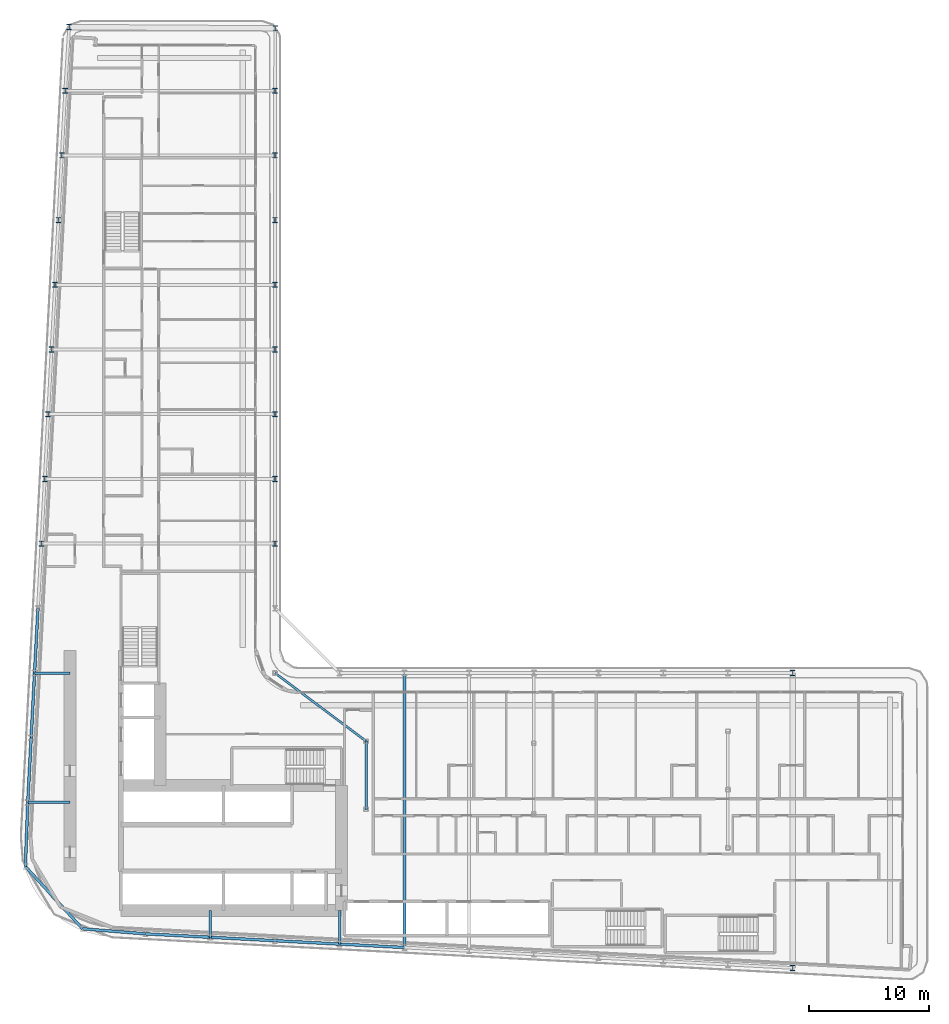
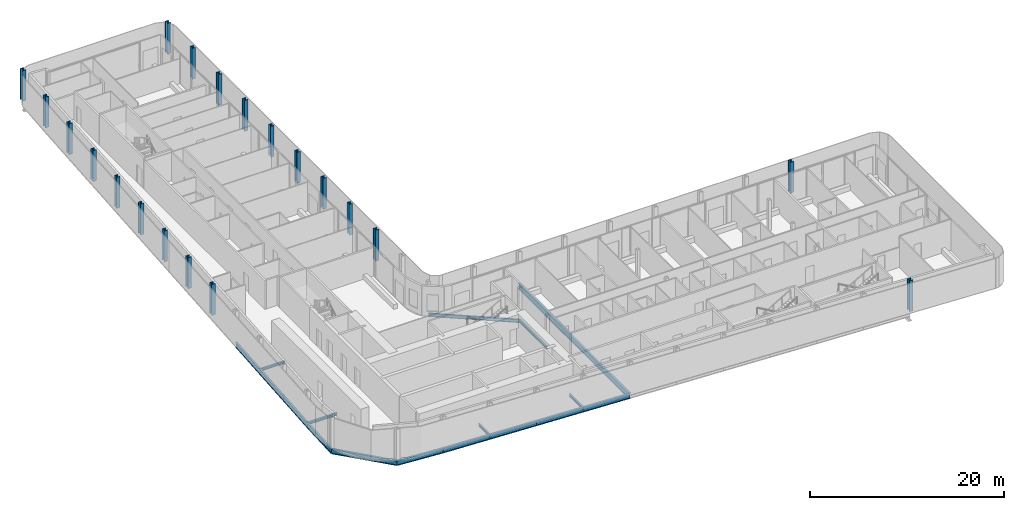
# One storey, part 3 of 29: 20 columns, 17 beams.
"""IFC4 building model written with IfcOpenShell, lengths in metres."""

from ifc_helpers import new_model, si_unit, direction, frame, origin, origin_2d, place, context, subcontext, project, spatial, i_section, extrude, material, material_profile, profile_set, type_object, element, save


model = new_model("IFC4")

# Units and contexts
model_context = context("Model", 3, precision=1e-05, world=origin(), true_north=direction((0.0, 1.0)))
body_context = subcontext(model_context, "Body", "Model", "MODEL_VIEW")
ifc_project = project(units=[si_unit("LENGTHUNIT", "METRE"), si_unit("AREAUNIT", "SQUARE_METRE"), si_unit("VOLUMEUNIT", "CUBIC_METRE"), si_unit("PLANEANGLEUNIT", "RADIAN"), si_unit("MASSUNIT", "GRAM", prefix="KILO")], contexts=[model_context])

# Site, building, storey
site_placement = place(None, origin())
site = spatial("IfcSite", under=ifc_project, at=site_placement, CompositionType="ELEMENT")
building_placement = place(site_placement, origin())
building = spatial("IfcBuilding", under=site, at=building_placement, Name="Kheshtan School and Residences Tower", CompositionType="ELEMENT")
storey_placement = place(building_placement, frame((0.0, 0.0, 65.60009765625)))
storey = spatial("IfcBuildingStorey", under=building, at=storey_placement, Name="L15", CompositionType="ELEMENT", Elevation=65.60009765625)

# Columns
ifc_material = material(Name="Steel ASTM A992 Grade 50", Category="steel")
ifc_material_profile_1 = material_profile(ifc_material, i_section(OverallWidth=0.424072265625, OverallDepth=0.47412109375, WebThickness=0.047607421875, FlangeThickness=0.0771484375, FilletRadius=0.01416015625, at=origin_2d()), Name="W360x634")
ifc_profile_set_1 = profile_set([ifc_material_profile_1], Name="Steel ASTM A992 Grade 50")
column_type = type_object("IfcColumnType", Name="Column C1 W360x634 ASTM A992 Grade 50", PredefinedType="COLUMN", material=ifc_profile_set_1)
for number, where, z_axis, x_axis, name in (
    (1, (90.800048828125, 20.989990234375, 0.0), (0.0, 0.0, 1.0), (1.0, 0.0, 0.0), "Column C006"),
    (2, (90.800048828125, 45.60009765625, 0.0), (0.0, 0.0, 1.0), (1.0, 0.0, 0.0), "Column C068"),
    (3, (28.10595703125, 56.39990234375, 0.0), (0.0, 0.0, 1.0), (1.0, 0.0, 0.0), "Column C080"),
    (4, (47.60009765625, 56.39990234375, 0.0), (0.0, 0.0, 1.0), (1.0, 0.0, 0.0), "Column C081"),
    (5, (28.389892578125, 61.800048828125, 0.0), (0.0, 0.0, 1.0), (1.0, 0.0, 0.0), "Column C082"),
    (6, (47.60009765625, 61.800048828125, 0.0), (0.0, 0.0, 1.0), (1.0, 0.0, 0.0), "Column C083"),
    (7, (28.674072265625, 67.199951171875, 0.0), (0.0, 0.0, 1.0), (1.0, 0.0, 0.0), "Column C084"),
    (8, (47.60009765625, 67.199951171875, 0.0), (0.0, 0.0, 1.0), (1.0, 0.0, 0.0), "Column C085"),
    (9, (28.9580078125, 72.60009765625, 0.0), (0.0, 0.0, 1.0), (1.0, 0.0, 0.0), "Column C086"),
    (10, (47.60009765625, 72.60009765625, 0.0), (0.0, 0.0, 1.0), (1.0, 0.0, 0.0), "Column C087"),
    (11, (29.242919921875, 78.0, 0.0), (0.0, 0.0, 1.0), (1.0, 0.0, 0.0), "Column C088"),
    (12, (47.60009765625, 78.0, 0.0), (0.0, 0.0, 1.0), (1.0, 0.0, 0.0), "Column C089"),
    (13, (29.527099609375, 83.39990234375, 0.0), (0.0, 0.0, 1.0), (1.0, 0.0, 0.0), "Column C090"),
    (14, (47.60009765625, 83.39990234375, 0.0), (0.0, 0.0, 1.0), (1.0, 0.0, 0.0), "Column C091"),
    (15, (29.81103515625, 88.800048828125, 0.0), (0.0, 0.0, 1.0), (1.0, 0.0, 0.0), "Column C098"),
    (16, (47.60009765625, 88.800048828125, 0.0), (0.0, 0.0, 1.0), (1.0, 0.0, 0.0), "Column C099"),
    (17, (30.094970703125, 94.199951171875, 0.0), (0.0, 0.0, 1.0), (1.0, 0.0, 0.0), "Column C106"),
    (18, (47.60009765625, 94.199951171875, 0.0), (0.0, 0.0, 1.0), (1.0, 0.0, 0.0), "Column C107"),
    (19, (47.6298828125, 99.402099609375, 0.0), (0.0, 0.0, 1.0), (1.0, 0.0, 0.0), "Column C113"),
    (20, (30.424072265625, 99.510009765625, 0.0), (0.0, 0.0, 1.0), (1.0, 0.0, 0.0), "Column C121"),
):
    element("IfcColumn", number, at=place(storey_placement, frame(where, z_axis=z_axis, x_axis=x_axis)), inside=storey, type_object=column_type, Name=name, PredefinedType="COLUMN", context=body_context, shape_type="SweptSolid", body=[
        extrude(i_section(OverallWidth=0.424072265625, OverallDepth=0.47412109375, WebThickness=0.047607421875, FlangeThickness=0.0771484375, FilletRadius=0.01416015625, at=origin_2d()), origin(), (0.0, 0.0, 1.0), 3.89990234375),
    ])

# Beams
ifc_material_profile_2 = material_profile(ifc_material, i_section(OverallWidth=0.202880859375, OverallDepth=0.302978515625, WebThickness=0.007568359375, FlangeThickness=0.01318359375, FilletRadius=0.009033203125, at=origin_2d()), Name="W310x60")
ifc_profile_set_2 = profile_set([ifc_material_profile_2], Name="Steel ASTM A992 Grade 50")
beam_type_1 = type_object("IfcBeamType", Name="Beam FB1 W310x60 ASTM A992 Grade 50", PredefinedType="BEAM", material=ifc_profile_set_2)
beam_1_placement = place(storey_placement, frame((53.0, 22.97998046875, -0.301513671875), z_axis=(0.0, 1.0, 0.0), x_axis=(-1.0, 0.0, 0.0)))
element("IfcBeam", 21, at=beam_1_placement, inside=storey, type_object=beam_type_1, Name="Floor beam C019", PredefinedType="BEAM", context=body_context, shape_type="SweptSolid", body=[
    extrude(i_section(OverallWidth=0.202880859375, OverallDepth=0.302978515625, WebThickness=0.007568359375, FlangeThickness=0.01318359375, FilletRadius=0.009033203125, at=origin_2d()), origin(), (0.0, 0.0, 1.0), 2.820068359375),
])
beam_2_placement = place(storey_placement, frame((42.199951171875, 23.548095703125, -0.301513671875), z_axis=(0.0, 1.0, 0.0), x_axis=(-1.0, 0.0, 0.0)))
element("IfcBeam", 22, at=beam_2_placement, inside=storey, type_object=beam_type_1, Name="Floor beam C021", PredefinedType="BEAM", context=body_context, shape_type="SweptSolid", body=[
    extrude(i_section(OverallWidth=0.202880859375, OverallDepth=0.302978515625, WebThickness=0.007568359375, FlangeThickness=0.01318359375, FilletRadius=0.009033203125, at=origin_2d()), origin(), (0.0, 0.0, 1.0), 2.251953125),
])
beam_3_placement = place(storey_placement, frame((26.968994140625, 34.800048828125, -0.301513671875), z_axis=(1.0, 0.0, 0.0), x_axis=(0.0, 1.0, 0.0)))
element("IfcBeam", 23, at=beam_3_placement, inside=storey, type_object=beam_type_1, Name="Floor beam C052", PredefinedType="BEAM", context=body_context, shape_type="SweptSolid", body=[
    extrude(i_section(OverallWidth=0.202880859375, OverallDepth=0.302978515625, WebThickness=0.007568359375, FlangeThickness=0.01318359375, FilletRadius=0.009033203125, at=origin_2d()), origin(), (0.0, 0.0, 1.0), 3.531005859375),
])
beam_4_placement = place(storey_placement, frame((27.537109375, 45.60009765625, -0.301513671875), z_axis=(1.0, 0.0, 0.0), x_axis=(0.0, 1.0, 0.0)))
element("IfcBeam", 24, at=beam_4_placement, inside=storey, type_object=beam_type_1, Name="Floor beam C059", PredefinedType="BEAM", context=body_context, shape_type="SweptSolid", body=[
    extrude(i_section(OverallWidth=0.202880859375, OverallDepth=0.302978515625, WebThickness=0.007568359375, FlangeThickness=0.01318359375, FilletRadius=0.009033203125, at=origin_2d()), origin(), (0.0, 0.0, 1.0), 2.962890625),
])
beam_5_placement = place(storey_placement, frame((55.199951171875, 34.23193359375, -0.301513671875), z_axis=(0.0, 1.0, 0.0), x_axis=(-1.0, 0.0, 0.0)))
element("IfcBeam", 25, at=beam_5_placement, inside=storey, type_object=beam_type_1, Name="Floor beam IC", PredefinedType="BEAM", context=body_context, shape_type="SweptSolid", body=[
    extrude(i_section(OverallWidth=0.202880859375, OverallDepth=0.302978515625, WebThickness=0.007568359375, FlangeThickness=0.01318359375, FilletRadius=0.009033203125, at=origin_2d()), origin(), (0.0, 0.0, 1.0), 5.68408203125),
])
ifc_material_profile_3 = material_profile(ifc_material, i_section(OverallWidth=0.180908203125, OverallDepth=0.4169921875, WebThickness=0.010986328125, FlangeThickness=0.018310546875, FilletRadius=0.012451171875, at=origin_2d()), Name="W410x85")
ifc_profile_set_3 = profile_set([ifc_material_profile_3], Name="Steel ASTM A992 Grade 50")
beam_type_2 = type_object("IfcBeamType", Name="Beam FB3 W410x85 ASTM A992 Grade 50", PredefinedType="BEAM", material=ifc_profile_set_3)
beam_6_placement = place(storey_placement, frame((47.60009765625, 45.60009765625, -0.358642578125), z_axis=(0.800798828004, -0.598933416222, 0.0), x_axis=(0.598933416222, 0.800798828004, 0.0)))
element("IfcBeam", 26, at=beam_6_placement, inside=storey, type_object=beam_type_2, Name="Floor beam IC", PredefinedType="BEAM", context=body_context, shape_type="SweptSolid", body=[
    extrude(i_section(OverallWidth=0.180908203125, OverallDepth=0.4169921875, WebThickness=0.010986328125, FlangeThickness=0.018310546875, FilletRadius=0.012451171875, at=origin_2d()), origin(), (0.0, 0.0, 1.0), 9.490234375),
])
ifc_material_profile_4 = material_profile(ifc_material, i_section(OverallWidth=0.2529296875, OverallDepth=0.677978515625, WebThickness=0.01171875, FlangeThickness=0.016357421875, FilletRadius=0.0146484375, at=origin_2d()), Name="W690x125")
ifc_profile_set_4 = profile_set([ifc_material_profile_4], Name="Steel ASTM A992 Grade 50")
beam_type_3 = type_object("IfcBeamType", Name="Beam FB6 W690x125 ASTM A992 Grade 50", PredefinedType="BEAM", material=ifc_profile_set_4)
beam_7_placement = place(storey_placement, frame((58.39990234375, 45.60009765625, -0.489013671875), z_axis=(0.0, -1.0, 0.0), x_axis=(1.0, 0.0, 0.0)))
element("IfcBeam", 27, at=beam_7_placement, inside=storey, type_object=beam_type_3, Name="Floor beam C062", PredefinedType="BEAM", context=body_context, shape_type="SweptSolid", body=[
    extrude(i_section(OverallWidth=0.2529296875, OverallDepth=0.677978515625, WebThickness=0.01171875, FlangeThickness=0.016357421875, FilletRadius=0.0146484375, at=origin_2d()), origin(), (0.0, 0.0, 1.0), 22.905029296875),
])
ifc_material_profile_5 = material_profile(ifc_material, i_section(OverallWidth=0.22998046875, OverallDepth=0.616943359375, WebThickness=0.01318359375, FlangeThickness=0.022216796875, FilletRadius=0.0185546875, at=origin_2d()), Name="W610x140")
ifc_profile_set_5 = profile_set([ifc_material_profile_5], Name="Steel ASTM A992 Grade 50")
beam_type_4 = type_object("IfcBeamType", Name="Beam SP1 W610x140 ASTM A992 Grade 50", PredefinedType="BEAM", material=ifc_profile_set_5)
for number, where, z_axis, x_axis, name in (
    (28, (58.39990234375, 22.695068359375, -0.45849609375), (-0.998610961136, 0.052689166816, 0.0), (-0.052689166816, -0.998610961136, 0.0), "Spandrel beam C018-C019"),
    (29, (53.0, 22.97998046875, -0.45849609375), (-0.998620447272, 0.05250906864, 0.0), (-0.05250906864, -0.998620447272, 0.0), "Spandrel beam C019-C020"),
):
    element("IfcBeam", number, at=place(storey_placement, frame(where, z_axis=z_axis, x_axis=x_axis)), inside=storey, type_object=beam_type_4, Name=name, PredefinedType="BEAM", context=body_context, shape_type="SweptSolid", body=[
        extrude(i_section(OverallWidth=0.22998046875, OverallDepth=0.616943359375, WebThickness=0.01318359375, FlangeThickness=0.022216796875, FilletRadius=0.0185546875, at=origin_2d()), origin(), (0.0, 0.0, 1.0), 5.407470703125),
    ])
beam_8_placement = place(storey_placement, frame((47.60009765625, 23.263916015625, -0.45849609375), z_axis=(-0.998618203458, 0.052551724256, 0.0), x_axis=(-0.052551724256, -0.998618203458, 0.0)))
element("IfcBeam", 30, at=beam_8_placement, inside=storey, type_object=beam_type_4, Name="Spandrel beam C020-C021", PredefinedType="BEAM", context=body_context, shape_type="SweptSolid", body=[
    extrude(i_section(OverallWidth=0.22998046875, OverallDepth=0.616943359375, WebThickness=0.01318359375, FlangeThickness=0.022216796875, FilletRadius=0.0185546875, at=origin_2d()), origin(), (0.0, 0.0, 1.0), 5.40771484375),
])
beam_9_placement = place(storey_placement, frame((42.199951171875, 23.548095703125, -0.45849609375), z_axis=(-0.998620447272, 0.05250906864, 0.0), x_axis=(-0.05250906864, -0.998620447272, 0.0)))
element("IfcBeam", 31, at=beam_9_placement, inside=storey, type_object=beam_type_4, Name="Spandrel beam C021-C022", PredefinedType="BEAM", context=body_context, shape_type="SweptSolid", body=[
    extrude(i_section(OverallWidth=0.22998046875, OverallDepth=0.616943359375, WebThickness=0.01318359375, FlangeThickness=0.022216796875, FilletRadius=0.0185546875, at=origin_2d()), origin(), (0.0, 0.0, 1.0), 5.407470703125),
])
beam_10_placement = place(storey_placement, frame((36.800048828125, 23.83203125, -0.45849609375), z_axis=(-0.996748565693, 0.08057479003, 0.0), x_axis=(-0.08057479003, -0.996748565693, 0.0)))
element("IfcBeam", 32, at=beam_10_placement, inside=storey, type_object=beam_type_4, Name="Spandrel beam C022-C025", PredefinedType="BEAM", context=body_context, shape_type="SweptSolid", body=[
    extrude(i_section(OverallWidth=0.22998046875, OverallDepth=0.616943359375, WebThickness=0.01318359375, FlangeThickness=0.022216796875, FilletRadius=0.0185546875, at=origin_2d()), origin(), (0.0, 0.0, 1.0), 5.275146484375),
])
beam_11_placement = place(storey_placement, frame((31.5419921875, 24.257080078125, -0.45849609375), z_axis=(-0.676418406149, 0.736517576045, 0.0), x_axis=(-0.736517576045, -0.676418406149, 0.0)))
element("IfcBeam", 33, at=beam_11_placement, inside=storey, type_object=beam_type_4, Name="Spandrel beam C025-C038", PredefinedType="BEAM", context=body_context, shape_type="SweptSolid", body=[
    extrude(i_section(OverallWidth=0.22998046875, OverallDepth=0.616943359375, WebThickness=0.01318359375, FlangeThickness=0.022216796875, FilletRadius=0.0185546875, at=origin_2d()), origin(), (0.0, 0.0, 1.0), 7.05615234375),
])
beam_12_placement = place(storey_placement, frame((26.76904296875, 29.4541015625, -0.45849609375), z_axis=(0.037376249491, 0.999301263871, 0.0), x_axis=(-0.999301263871, 0.037376249491, 0.0)))
element("IfcBeam", 34, at=beam_12_placement, inside=storey, type_object=beam_type_4, Name="Spandrel beam C038-C052", PredefinedType="BEAM", context=body_context, shape_type="SweptSolid", body=[
    extrude(i_section(OverallWidth=0.22998046875, OverallDepth=0.616943359375, WebThickness=0.01318359375, FlangeThickness=0.022216796875, FilletRadius=0.0185546875, at=origin_2d()), origin(), (0.0, 0.0, 1.0), 5.349609375),
])
beam_13_placement = place(storey_placement, frame((26.968994140625, 34.800048828125, -0.45849609375), z_axis=(0.05250906864, 0.998620447272, 0.0), x_axis=(-0.998620447272, 0.05250906864, 0.0)))
element("IfcBeam", 35, at=beam_13_placement, inside=storey, type_object=beam_type_4, Name="Spandrel beam C052-C056", PredefinedType="BEAM", context=body_context, shape_type="SweptSolid", body=[
    extrude(i_section(OverallWidth=0.22998046875, OverallDepth=0.616943359375, WebThickness=0.01318359375, FlangeThickness=0.022216796875, FilletRadius=0.0185546875, at=origin_2d()), origin(), (0.0, 0.0, 1.0), 5.407470703125),
])
beam_14_placement = place(storey_placement, frame((27.2529296875, 40.199951171875, -0.45849609375), z_axis=(0.052551724256, 0.998618203458, 0.0), x_axis=(-0.998618203458, 0.052551724256, 0.0)))
element("IfcBeam", 36, at=beam_14_placement, inside=storey, type_object=beam_type_4, Name="Spandrel beam C056-C059", PredefinedType="BEAM", context=body_context, shape_type="SweptSolid", body=[
    extrude(i_section(OverallWidth=0.22998046875, OverallDepth=0.616943359375, WebThickness=0.01318359375, FlangeThickness=0.022216796875, FilletRadius=0.0185546875, at=origin_2d()), origin(), (0.0, 0.0, 1.0), 5.40771484375),
])
beam_15_placement = place(storey_placement, frame((27.537109375, 45.60009765625, -0.45849609375), z_axis=(0.052689166816, 0.998610961136, 0.0), x_axis=(-0.998610961136, 0.052689166816, 0.0)))
element("IfcBeam", 37, at=beam_15_placement, inside=storey, type_object=beam_type_4, Name="Spandrel beam C059-C078", PredefinedType="BEAM", context=body_context, shape_type="SweptSolid", body=[
    extrude(i_section(OverallWidth=0.22998046875, OverallDepth=0.616943359375, WebThickness=0.01318359375, FlangeThickness=0.022216796875, FilletRadius=0.0185546875, at=origin_2d()), origin(), (0.0, 0.0, 1.0), 5.407470703125),
])

save(model, "model.ifc")
